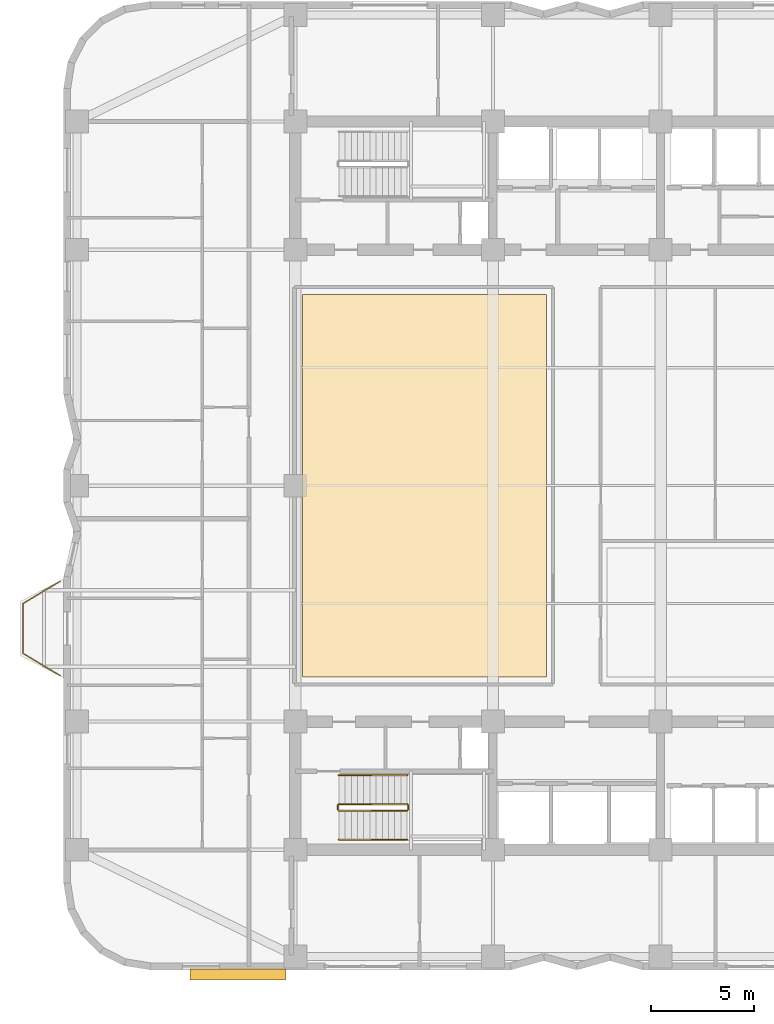
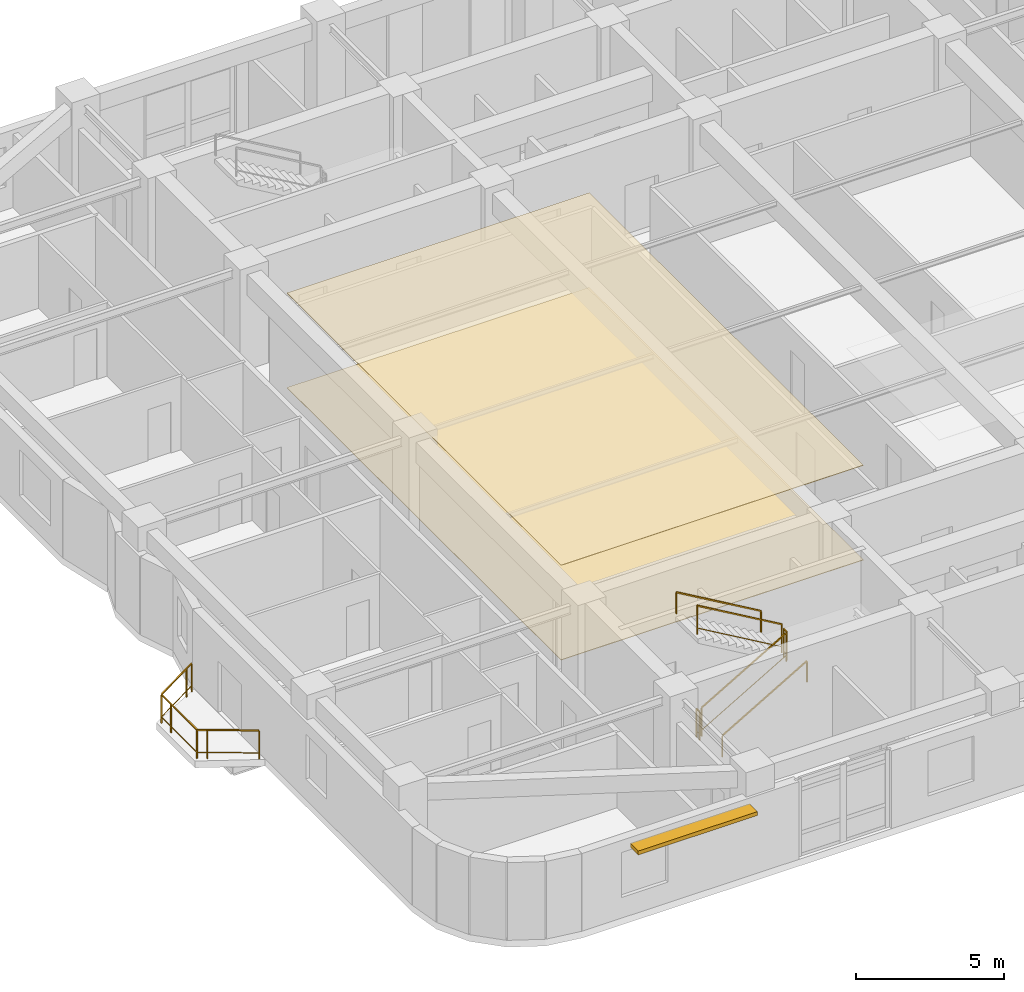
# One storey, part 13 of 15: 7 railings, 2 coverings, 1 shading device.
"""IFC4 building model written with IfcOpenShell, lengths in metres."""

from ifc_helpers import new_model, si_unit, direction, frame, origin, origin_2d, place, context, subcontext, project, spatial, polyline, rectangle, outline, extrude, material, layer, layer_set, type_object, element, save


model = new_model("IFC4")

# Units and contexts
model_context = context("Model", 3, precision=1e-05, world=origin(), true_north=direction((0.0, 1.0)))
body_context = subcontext(model_context, "Body", "Model", "MODEL_VIEW")
ifc_project = project(units=[si_unit("LENGTHUNIT", "METRE"), si_unit("AREAUNIT", "SQUARE_METRE"), si_unit("VOLUMEUNIT", "CUBIC_METRE"), si_unit("PLANEANGLEUNIT", "RADIAN"), si_unit("MASSUNIT", "GRAM", prefix="KILO")], contexts=[model_context])

# Site, building, storey
site_placement = place(None, origin())
site = spatial("IfcSite", under=ifc_project, at=site_placement, CompositionType="ELEMENT")
building_placement = place(site_placement, origin())
building = spatial("IfcBuilding", under=site, at=building_placement, Name="Svetorya Sky Lyceum", CompositionType="ELEMENT")
storey_placement = place(building_placement, frame((0.0, 0.0, 84.10009765625)))
storey = spatial("IfcBuildingStorey", under=building, at=storey_placement, Name="L20", CompositionType="ELEMENT", Elevation=84.10009765625)

# Coverings
ifc_material_1 = material(Name="Mineral-fibre classroom acoustic ceiling tile")
ifc_layer_1 = layer(ifc_material_1, 0.02392578125)
ifc_layer_set_1 = layer_set([ifc_layer_1], Name="Mineral-fibre classroom acoustic ceiling tile")
covering_type_1 = type_object("IfcCoveringType", Name="COV-CLG-AC24", PredefinedType="CEILING", material=ifc_layer_set_1)
covering_1_placement = place(storey_placement, frame((0.0, 0.0, 3.89599609375)))
element("IfcCovering", 1, at=covering_1_placement, inside=storey, type_object=covering_type_1, Name="Sky Lobby L20 Transfer Hall Acoustic Ceiling", PredefinedType="CEILING", context=body_context, shape_type="SweptSolid", body=[
    extrude(outline(polyline([(25.949951171875, 18.949951171875), (37.72998046875, 18.949951171875), (37.72998046875, 37.449951171875), (25.949951171875, 37.449951171875), (25.949951171875, 18.949951171875)])), origin(), (0.0, 0.0, 1.0), 0.02392578125),
])
ifc_material_2 = material(Name="Engineered Nordic oak parquet flooring")
ifc_layer_2 = layer(ifc_material_2, 0.02197265625)
ifc_layer_set_2 = layer_set([ifc_layer_2], Name="Engineered Nordic oak parquet flooring")
covering_type_2 = type_object("IfcCoveringType", Name="COV-FLR-OAK", PredefinedType="FLOORING", material=ifc_layer_set_2)
covering_2_placement = place(storey_placement, origin())
element("IfcCovering", 2, at=covering_2_placement, inside=storey, type_object=covering_type_2, Name="Sky Lobby L20 Transfer Hall Architectural Flooring", PredefinedType="FLOORING", context=body_context, shape_type="SweptSolid", body=[
    extrude(outline(polyline([(25.949951171875, 18.949951171875), (37.72998046875, 18.949951171875), (37.72998046875, 37.449951171875), (25.949951171875, 37.449951171875), (25.949951171875, 18.949951171875)])), origin(), (0.0, 0.0, 1.0), 0.02197265625),
])

# Railings
ifc_material_3 = material(Name="Laminated safety glass and stainless AISI 316", Category="glass")
railing_type_1 = type_object("IfcRailingType", Name="RL-BAL-1200", PredefinedType="BALUSTRADE", material=ifc_material_3)
railing_1_placement = place(storey_placement, frame((14.22998046875, 19.02001953125, 0.0)))
element("IfcRailing", 3, at=railing_1_placement, inside=storey, type_object=railing_type_1, Name="L20 Balcony Balustrade BAL-W1", PredefinedType="BALUSTRADE", context=body_context, shape_type="SweptSolid", body=[
    extrude(rectangle(XDim=0.048095703125, YDim=0.048095703125, at=origin_2d()), frame((0.0, 0.0, 1.17578125), z_axis=(-0.857482663744, 0.514512858321, 0.0), x_axis=(-0.514512858321, -0.857482663744, 0.0)), (0.0, 0.0, 1.0), 2.09912109375),
    extrude(rectangle(XDim=0.02392578125, YDim=0.02392578125, at=origin_2d()), frame((0.0, 0.0, 0.25), z_axis=(-0.857482663744, 0.514512858321, 0.0), x_axis=(-0.514512858321, -0.857482663744, 0.0)), (0.0, 0.0, 1.0), 2.09912109375),
    extrude(rectangle(XDim=0.048095703125, YDim=0.048095703125, at=origin_2d()), frame((-1.800048828125, 1.080078125, 1.17578125), z_axis=(0.0, 1.0, 0.0), x_axis=(-1.0, 0.0, 0.0)), (0.0, 0.0, 1.0), 2.39990234375),
    extrude(rectangle(XDim=0.02392578125, YDim=0.02392578125, at=origin_2d()), frame((-1.800048828125, 1.080078125, 0.25), z_axis=(0.0, 1.0, 0.0), x_axis=(-1.0, 0.0, 0.0)), (0.0, 0.0, 1.0), 2.39990234375),
    extrude(rectangle(XDim=0.048095703125, YDim=0.048095703125, at=origin_2d()), frame((-1.800048828125, 3.47998046875, 1.17578125), z_axis=(0.857482663744, 0.514512858321, 0.0), x_axis=(-0.514512858321, 0.857482663744, 0.0)), (0.0, 0.0, 1.0), 2.09912109375),
    extrude(rectangle(XDim=0.02392578125, YDim=0.02392578125, at=origin_2d()), frame((-1.800048828125, 3.47998046875, 0.25), z_axis=(0.857482663744, 0.514512858321, 0.0), x_axis=(-0.514512858321, 0.857482663744, 0.0)), (0.0, 0.0, 1.0), 2.09912109375),
    extrude(rectangle(XDim=0.0419921875, YDim=0.0419921875, at=origin_2d()), origin(), (0.0, 0.0, 1.0), 1.15185546875),
    extrude(rectangle(XDim=0.0419921875, YDim=0.0419921875, at=origin_2d()), frame((-1.50048828125, 0.900390625, 0.0)), (0.0, 0.0, 1.0), 1.15185546875),
    extrude(rectangle(XDim=0.0419921875, YDim=0.0419921875, at=origin_2d()), frame((-1.800048828125, 1.080078125, 0.0)), (0.0, 0.0, 1.0), 1.15185546875),
    extrude(rectangle(XDim=0.0419921875, YDim=0.0419921875, at=origin_2d()), frame((-1.800048828125, 2.830078125, 0.0)), (0.0, 0.0, 1.0), 1.15185546875),
    extrude(rectangle(XDim=0.0419921875, YDim=0.0419921875, at=origin_2d()), frame((-1.800048828125, 3.47998046875, 0.0)), (0.0, 0.0, 1.0), 1.15185546875),
    extrude(rectangle(XDim=0.0419921875, YDim=0.0419921875, at=origin_2d()), frame((-0.299560546875, 4.38037109375, 0.0)), (0.0, 0.0, 1.0), 1.15185546875),
    extrude(rectangle(XDim=0.0419921875, YDim=0.0419921875, at=origin_2d()), frame((0.0, 4.56005859375, 0.0)), (0.0, 0.0, 1.0), 1.15185546875),
])
ifc_material_4 = material(Name="Painted galvanized stair well guard")
railing_type_2 = type_object("IfcRailingType", Name="RL-STR-GUARD-1200", PredefinedType="GUARDRAIL", material=ifc_material_4)
railing_2_placement = place(storey_placement, frame((27.699951171875, 12.5, 0.1748046875)))
element("IfcRailing", 4, at=railing_2_placement, inside=storey, type_object=railing_type_2, Name="L20 ST-S stair guard 1", PredefinedType="GUARDRAIL", context=body_context, shape_type="SweptSolid", body=[
    extrude(rectangle(XDim=0.048095703125, YDim=0.048095703125, at=origin_2d()), frame((0.0, 0.0, 1.17578125), z_axis=(0.863776583165, 0.0, 0.503874998761), x_axis=(0.0, 1.0, 0.0)), (0.0, 0.0, 1.0), 3.820556640625),
    extrude(rectangle(XDim=0.02392578125, YDim=0.02392578125, at=origin_2d()), frame((0.0, 0.0, 0.25), z_axis=(0.863776583165, 0.0, 0.503874998761), x_axis=(0.0, 1.0, 0.0)), (0.0, 0.0, 1.0), 3.820556640625),
    extrude(rectangle(XDim=0.0419921875, YDim=0.0419921875, at=origin_2d()), origin(), (0.0, 0.0, 1.0), 1.15185546875),
    extrude(rectangle(XDim=0.0419921875, YDim=0.0419921875, at=origin_2d()), frame((3.300048828125, 0.0, 1.925048828125)), (0.0, 0.0, 1.0), 1.15185546875),
])
railing_3_placement = place(storey_placement, frame((31.050048828125, 12.550048828125, 2.099853515625)))
element("IfcRailing", 5, at=railing_3_placement, inside=storey, type_object=railing_type_2, Name="L20 ST-S stair guard 2", PredefinedType="GUARDRAIL", context=body_context, shape_type="SweptSolid", body=[
    extrude(rectangle(XDim=0.048095703125, YDim=0.048095703125, at=origin_2d()), frame((0.0, 0.0, 1.17578125), z_axis=(0.0, 1.0, 0.0), x_axis=(-1.0, 0.0, 0.0)), (0.0, 0.0, 1.0), 0.199951171875),
    extrude(rectangle(XDim=0.02392578125, YDim=0.02392578125, at=origin_2d()), frame((0.0, 0.0, 0.25), z_axis=(0.0, 1.0, 0.0), x_axis=(-1.0, 0.0, 0.0)), (0.0, 0.0, 1.0), 0.199951171875),
    extrude(rectangle(XDim=0.0419921875, YDim=0.0419921875, at=origin_2d()), origin(), (0.0, 0.0, 1.0), 1.15185546875),
    extrude(rectangle(XDim=0.0419921875, YDim=0.0419921875, at=origin_2d()), frame((0.0, 0.199951171875, 0.0)), (0.0, 0.0, 1.0), 1.15185546875),
])
railing_4_placement = place(storey_placement, frame((31.0, 12.800048828125, 2.27490234375)))
element("IfcRailing", 6, at=railing_4_placement, inside=storey, type_object=railing_type_2, Name="L20 ST-S stair guard 3", PredefinedType="GUARDRAIL", context=body_context, shape_type="SweptSolid", body=[
    extrude(rectangle(XDim=0.048095703125, YDim=0.048095703125, at=origin_2d()), frame((0.0, 0.0, 1.17578125), z_axis=(-0.863776583165, 0.0, 0.503874998761), x_axis=(0.0, -1.0, 0.0)), (0.0, 0.0, 1.0), 3.820556640625),
    extrude(rectangle(XDim=0.02392578125, YDim=0.02392578125, at=origin_2d()), frame((0.0, 0.0, 0.25), z_axis=(-0.863776583165, 0.0, 0.503874998761), x_axis=(0.0, -1.0, 0.0)), (0.0, 0.0, 1.0), 3.820556640625),
    extrude(rectangle(XDim=0.0419921875, YDim=0.0419921875, at=origin_2d()), origin(), (0.0, 0.0, 1.0), 1.15185546875),
    extrude(rectangle(XDim=0.0419921875, YDim=0.0419921875, at=origin_2d()), frame((-3.300048828125, 0.0, 1.925048828125)), (0.0, 0.0, 1.0), 1.15185546875),
])
railing_5_placement = place(storey_placement, frame((27.64990234375, 12.550048828125, 0.0)))
element("IfcRailing", 7, at=railing_5_placement, inside=storey, type_object=railing_type_2, Name="L20 ST-S stair guard 4", PredefinedType="GUARDRAIL", context=body_context, shape_type="SweptSolid", body=[
    extrude(rectangle(XDim=0.048095703125, YDim=0.048095703125, at=origin_2d()), frame((0.0, 0.0, 1.17578125), z_axis=(0.0, 1.0, 0.0), x_axis=(-1.0, 0.0, 0.0)), (0.0, 0.0, 1.0), 0.199951171875),
    extrude(rectangle(XDim=0.02392578125, YDim=0.02392578125, at=origin_2d()), frame((0.0, 0.0, 0.25), z_axis=(0.0, 1.0, 0.0), x_axis=(-1.0, 0.0, 0.0)), (0.0, 0.0, 1.0), 0.199951171875),
    extrude(rectangle(XDim=0.0419921875, YDim=0.0419921875, at=origin_2d()), origin(), (0.0, 0.0, 1.0), 1.15185546875),
    extrude(rectangle(XDim=0.0419921875, YDim=0.0419921875, at=origin_2d()), frame((0.0, 0.199951171875, 0.0)), (0.0, 0.0, 1.0), 1.15185546875),
])
ifc_material_5 = material(Name="Brushed stainless AISI 304 stair handrail")
railing_type_3 = type_object("IfcRailingType", Name="RL-STR-HAND-920", PredefinedType="HANDRAIL", material=ifc_material_5)
railing_6_placement = place(storey_placement, frame((27.699951171875, 11.10009765625, 0.1748046875)))
element("IfcRailing", 8, at=railing_6_placement, inside=storey, type_object=railing_type_3, Name="L20 ST-S stair handrail 1", PredefinedType="HANDRAIL", context=body_context, shape_type="SweptSolid", body=[
    extrude(rectangle(XDim=0.048095703125, YDim=0.048095703125, at=origin_2d()), frame((0.0, 0.0, 0.8759765625), z_axis=(0.863776583165, 0.0, 0.503874998761), x_axis=(0.0, 1.0, 0.0)), (0.0, 0.0, 1.0), 3.820556640625),
    extrude(rectangle(XDim=0.0419921875, YDim=0.0419921875, at=origin_2d()), origin(), (0.0, 0.0, 1.0), 0.851806640625),
    extrude(rectangle(XDim=0.0419921875, YDim=0.0419921875, at=origin_2d()), frame((3.300048828125, 0.0, 1.925048828125)), (0.0, 0.0, 1.0), 0.851806640625),
])
railing_7_placement = place(storey_placement, frame((31.0, 14.199951171875, 2.27490234375)))
element("IfcRailing", 9, at=railing_7_placement, inside=storey, type_object=railing_type_3, Name="L20 ST-S stair handrail 2", PredefinedType="HANDRAIL", context=body_context, shape_type="SweptSolid", body=[
    extrude(rectangle(XDim=0.048095703125, YDim=0.048095703125, at=origin_2d()), frame((0.0, 0.0, 0.8759765625), z_axis=(-0.863776583165, 0.0, 0.503874998761), x_axis=(0.0, -1.0, 0.0)), (0.0, 0.0, 1.0), 3.820556640625),
    extrude(rectangle(XDim=0.0419921875, YDim=0.0419921875, at=origin_2d()), origin(), (0.0, 0.0, 1.0), 0.851806640625),
    extrude(rectangle(XDim=0.0419921875, YDim=0.0419921875, at=origin_2d()), frame((-3.300048828125, 0.0, 1.925048828125)), (0.0, 0.0, 1.0), 0.851806640625),
])

# Shading device
ifc_material_6 = material(Name="Champagne-anodized extruded aluminium sunshade", Category="aluminium")
ifc_layer_3 = layer(ifc_material_6, 0.159912109375)
ifc_layer_set_3 = layer_set([ifc_layer_3], Name="Champagne-anodized extruded aluminium sunshade")
shading_device_type = type_object("IfcShadingDeviceType", Name="SHD-LVR-540", PredefinedType="AWNING", material=ifc_layer_set_3)
shading_device_placement = place(storey_placement, frame((22.824951171875, 4.580078125, 2.77001953125), z_axis=(0.0, 0.0, 1.0), x_axis=(1.0, 0.0, 0.0)))
element("IfcShadingDevice", 10, at=shading_device_placement, inside=storey, type_object=shading_device_type, Name="L20 Solar Brise-Soleil SHD-1.6A", PredefinedType="AWNING", context=body_context, shape_type="SweptSolid", body=[
    extrude(rectangle(XDim=4.64697265625, YDim=0.5400390625, at=origin_2d()), origin(), (0.0, 0.0, 1.0), 0.159912109375),
])

save(model, "model.ifc")
